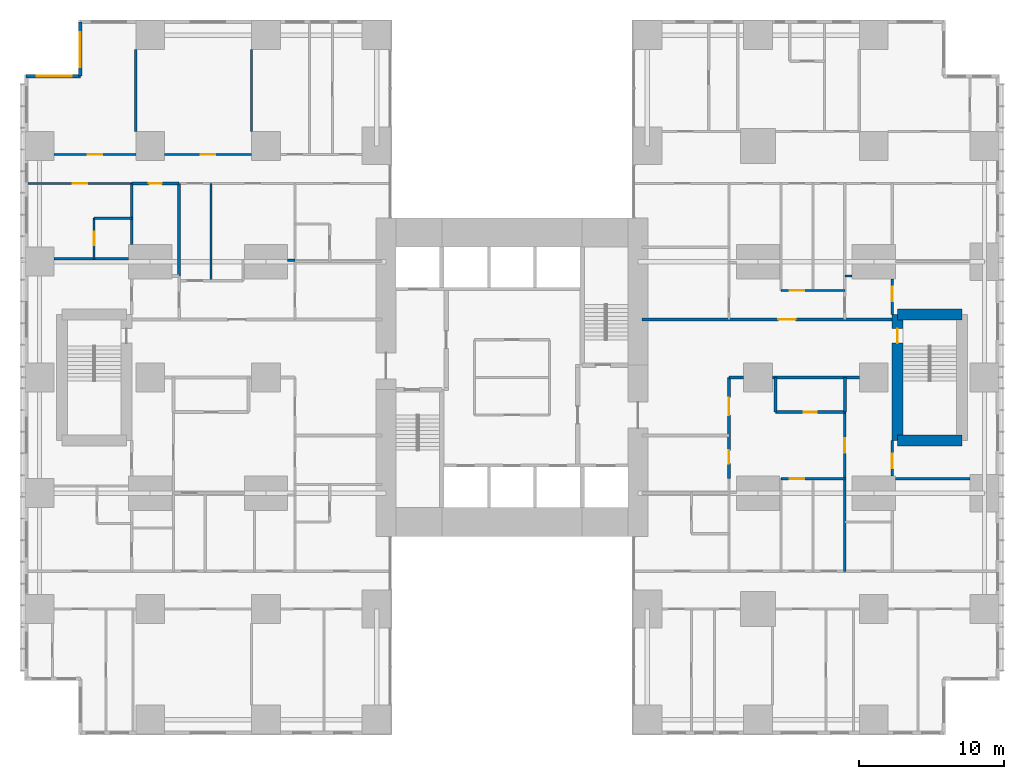
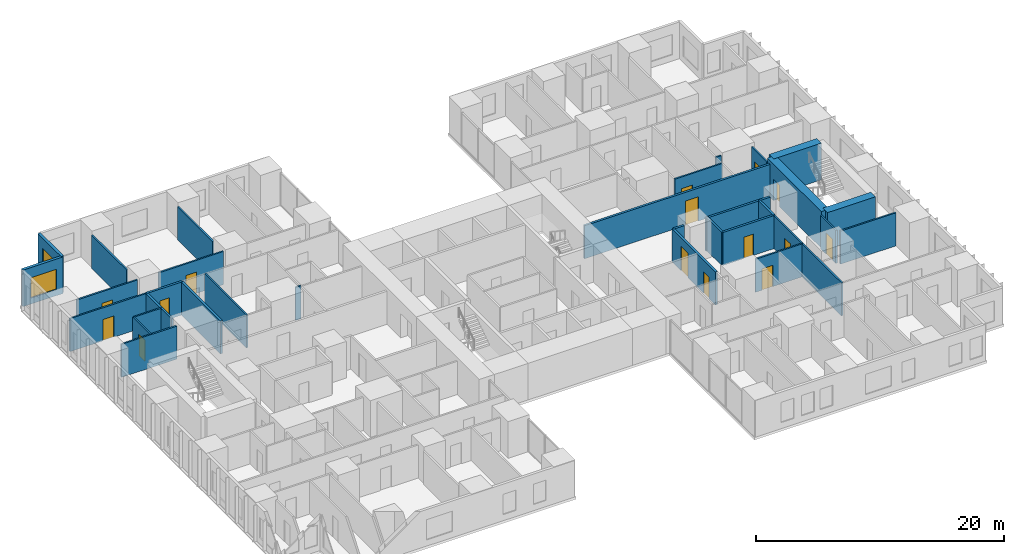
# One storey, part 16 of 20: 32 walls, 15 doors, 2 windows, 17 openings.
"""IFC4 building model written with IfcOpenShell, lengths in metres."""

from ifc_helpers import new_model, si_unit, direction, frame, frame_2d, origin, place, context, subcontext, project, spatial, rectangle, extrude, material, layer, layer_set, type_object, element, fill, save


model = new_model("IFC4")

# Units and contexts
model_context = context("Model", 3, precision=1e-05, world=origin(), true_north=direction((0.0, 1.0)))
body_context = subcontext(model_context, "Body", "Model", "MODEL_VIEW")
ifc_project = project(units=[si_unit("LENGTHUNIT", "METRE"), si_unit("AREAUNIT", "SQUARE_METRE"), si_unit("VOLUMEUNIT", "CUBIC_METRE"), si_unit("PLANEANGLEUNIT", "RADIAN"), si_unit("MASSUNIT", "GRAM", prefix="KILO")], contexts=[model_context])

# Site, building, storey
site_placement = place(None, origin())
site = spatial("IfcSite", under=ifc_project, at=site_placement, CompositionType="ELEMENT")
building_placement = place(site_placement, origin())
building = spatial("IfcBuilding", under=site, at=building_placement, Name="Cleftline Residences", CompositionType="ELEMENT")
storey_placement = place(building_placement, frame((0.0, 0.0, 87.199951171875)))
storey = spatial("IfcBuildingStorey", under=building, at=storey_placement, Name="L22", CompositionType="ELEMENT", Elevation=87.199951171875)

# Wall, opening, window
ifc_material_1 = material(Name="Rendered reinforced concrete blockwork", Category="masonry")
ifc_layer_1 = layer(ifc_material_1, 0.25)
ifc_layer_set_1 = layer_set([ifc_layer_1], Name="EXTERNAL WALL 250")
wall_type_1 = type_object("IfcWallType", Name="EXTERNAL WALL 250", PredefinedType="SOLIDWALL", material=ifc_layer_set_1)
wall_1_placement = place(storey_placement, frame((3.175048828125, 48.574951171875, 0.0), z_axis=(0.0, 0.0, 1.0), x_axis=(0.0, -1.0, 0.0)))
wall_1 = element("IfcWall", 1, at=wall_1_placement, inside=storey, type_object=wall_type_1, Name="External wall", PredefinedType="SOLIDWALL", context=body_context, shape_type="SweptSolid", body=[
    extrude(rectangle(XDim=3.75, YDim=0.25, at=frame_2d((1.875, 0.0))), origin(), (0.0, 0.0, 1.0), 3.60009765625),
])
opening_1_placement = place(wall_1_placement, frame((0.737548828125, 0.0, 0.60009765625)))
opening_1 = element("IfcOpeningElement", 2, at=opening_1_placement, cuts=wall_1, Name="Opening W6", PredefinedType="OPENING", context=body_context, shape_type="SweptSolid", body=[
    extrude(rectangle(XDim=2.39990234375, YDim=2.0, at=frame_2d((1.199951171875, 1.0))), frame((0.0, 0.135009765625, 0.0), z_axis=(0.0, -1.0, 0.0), x_axis=(1.0, 0.0, 0.0)), (0.0, 0.0, 1.0), 0.27001953125),
])
ifc_material_2 = material(Name="Aluminium frame, clear double glazing", Category="aluminium")
window_type = type_object("IfcWindowType", Name="WINDOW 2400X2000", PartitioningType="DOUBLE_PANEL_VERTICAL", PredefinedType="WINDOW", material=ifc_material_2)
window_1_placement = place(opening_1_placement, origin())
window_1 = element("IfcWindow", 3, at=window_1_placement, inside=storey, type_object=window_type, Name="Window", OverallHeight=2.0, OverallWidth=2.39990234375, PartitioningType="SINGLE_PANEL", PredefinedType="WINDOW", context=body_context, shape_type="SweptSolid", body=[
    extrude(rectangle(XDim=2.39990234375, YDim=2.0, at=frame_2d((1.199951171875, 1.0))), frame((0.0, 0.030029296875, 0.0), z_axis=(0.0, -1.0, 0.0), x_axis=(1.0, 0.0, 0.0)), (0.0, 0.0, 1.0), 0.06005859375),
])
fill(opening_1, window_1)

wall_2_placement = place(storey_placement, frame((3.175048828125, 44.824951171875, 0.0), z_axis=(0.0, 0.0, 1.0), x_axis=(-1.0, 0.0, 0.0)))
wall_2 = element("IfcWall", 4, at=wall_2_placement, inside=storey, type_object=wall_type_1, Name="External wall", PredefinedType="SOLIDWALL", context=body_context, shape_type="SweptSolid", body=[
    extrude(rectangle(XDim=3.75, YDim=0.25, at=frame_2d((1.875, 0.0))), origin(), (0.0, 0.0, 1.0), 3.60009765625),
])
opening_2_placement = place(wall_2_placement, frame((0.612548828125, 0.0, 0.60009765625)))
opening_2 = element("IfcOpeningElement", 5, at=opening_2_placement, cuts=wall_2, Name="Opening W6", PredefinedType="OPENING", context=body_context, shape_type="SweptSolid", body=[
    extrude(rectangle(XDim=2.39990234375, YDim=2.0, at=frame_2d((1.199951171875, 1.0))), frame((0.0, 0.135009765625, 0.0), z_axis=(0.0, -1.0, 0.0), x_axis=(1.0, 0.0, 0.0)), (0.0, 0.0, 1.0), 0.27001953125),
])
window_2_placement = place(opening_2_placement, origin())
window_2 = element("IfcWindow", 6, at=window_2_placement, inside=storey, type_object=window_type, Name="Window", OverallHeight=2.0, OverallWidth=2.39990234375, PartitioningType="SINGLE_PANEL", PredefinedType="WINDOW", context=body_context, shape_type="SweptSolid", body=[
    extrude(rectangle(XDim=2.39990234375, YDim=2.0, at=frame_2d((1.199951171875, 1.0))), frame((0.0, 0.030029296875, 0.0), z_axis=(0.0, -1.0, 0.0), x_axis=(1.0, 0.0, 0.0)), (0.0, 0.0, 1.0), 0.06005859375),
])
fill(opening_2, window_2)

# Wall, opening, door
ifc_material_3 = material(Name="Concrete blockwork, fire rated", Category="masonry")
ifc_layer_2 = layer(ifc_material_3, 0.199951171875)
ifc_layer_set_2 = layer_set([ifc_layer_2], Name="FIRE WALL 200")
wall_type_2 = type_object("IfcWallType", Name="FIRE WALL 200", PredefinedType="PARTITIONING", material=ifc_layer_set_2)
wall_3_placement = place(storey_placement, frame((51.199951171875, 21.60009765625, 0.0), z_axis=(0.0, 0.0, 1.0), x_axis=(1.0, 0.0, 0.0)))
wall_3 = element("IfcWall", 7, at=wall_3_placement, inside=storey, type_object=wall_type_2, Name="Fire separating wall", PredefinedType="PARTITIONING", context=body_context, shape_type="SweptSolid", body=[
    extrude(rectangle(XDim=4.800048828125, YDim=0.199951171875, at=frame_2d((2.39990234375, 0.0))), origin(), (0.0, 0.0, 1.0), 3.25),
])
opening_3_placement = place(wall_3_placement, frame((1.949951171875, 0.0, 0.0)))
opening_3 = element("IfcOpeningElement", 8, at=opening_3_placement, cuts=wall_3, Name="Opening D1F30", PredefinedType="OPENING", context=body_context, shape_type="SweptSolid", body=[
    extrude(rectangle(XDim=0.89990234375, YDim=2.10009765625, at=frame_2d((0.449951171875, 1.050048828125))), frame((0.0, 0.10986328125, 0.0), z_axis=(0.0, -1.0, 0.0), x_axis=(1.0, 0.0, 0.0)), (0.0, 0.0, 1.0), 0.219970703125),
])
ifc_material_4 = material(Name="Timber veneer on solid core", Category="wood")
door_type_1 = type_object("IfcDoorType", Name="DOOR 900X2100 EI 30", OperationType="SINGLE_SWING_LEFT", PredefinedType="DOOR", material=ifc_material_4)
door_1_placement = place(opening_3_placement, origin())
door_1 = element("IfcDoor", 9, at=door_1_placement, inside=storey, type_object=door_type_1, Name="Door to cloakroom wc", OperationType="SINGLE_SWING_LEFT", OverallHeight=2.10009765625, OverallWidth=0.89990234375, PredefinedType="DOOR", context=body_context, shape_type="SweptSolid", body=[
    extrude(rectangle(XDim=0.89990234375, YDim=2.10009765625, at=frame_2d((0.449951171875, 1.050048828125))), frame((0.0, 0.02490234375, 0.0), z_axis=(0.0, -1.0, 0.0), x_axis=(1.0, 0.0, 0.0)), (0.0, 0.0, 1.0), 0.050048828125),
])
fill(opening_3, door_1)

# Walls
wall_4_placement = place(storey_placement, frame((48.0, 24.0, 0.0), z_axis=(0.0, 0.0, 1.0), x_axis=(1.0, 0.0, 0.0)))
element("IfcWall", 10, at=wall_4_placement, inside=storey, type_object=wall_type_2, Name="Fire separating wall", PredefinedType="PARTITIONING", context=body_context, shape_type="SweptSolid", body=[
    extrude(rectangle(XDim=1.0, YDim=0.199951171875, at=frame_2d((0.5, 0.0))), origin(), (0.0, 0.0, 1.0), 3.25),
])
wall_5_placement = place(storey_placement, frame((51.0, 24.0, 0.0), z_axis=(0.0, 0.0, 1.0), x_axis=(1.0, 0.0, 0.0)))
element("IfcWall", 11, at=wall_5_placement, inside=storey, type_object=wall_type_2, Name="Fire separating wall", PredefinedType="PARTITIONING", context=body_context, shape_type="SweptSolid", body=[
    extrude(rectangle(XDim=6.0, YDim=0.199951171875, at=frame_2d((3.0, 0.0))), origin(), (0.0, 0.0, 1.0), 3.25),
])

# Wall, opening, door
wall_6_placement = place(storey_placement, frame((42.0, 28.0, 0.0), z_axis=(0.0, 0.0, 1.0), x_axis=(1.0, 0.0, 0.0)))
wall_6 = element("IfcWall", 12, at=wall_6_placement, inside=storey, type_object=wall_type_2, Name="Fire separating wall", PredefinedType="PARTITIONING", context=body_context, shape_type="SweptSolid", body=[
    extrude(rectangle(XDim=17.27490234375, YDim=0.199951171875, at=frame_2d((8.637451171875, 0.0))), origin(), (0.0, 0.0, 1.0), 3.25),
])
opening_4_placement = place(wall_6_placement, frame((9.39990234375, 0.0, 0.0)))
opening_4 = element("IfcOpeningElement", 13, at=opening_4_placement, cuts=wall_6, Name="Opening D4", PredefinedType="OPENING", context=body_context, shape_type="SweptSolid", body=[
    extrude(rectangle(XDim=1.199951171875, YDim=2.39990234375, at=frame_2d((0.60009765625, 1.199951171875))), frame((0.0, 0.10986328125, 0.0), z_axis=(0.0, -1.0, 0.0), x_axis=(1.0, 0.0, 0.0)), (0.0, 0.0, 1.0), 0.219970703125),
])
ifc_material_5 = material(Name="Timber veneer on solid core", Category="wood")
door_type_2 = type_object("IfcDoorType", Name="APARTMENT ENTRANCE DOOR 1200X2400", OperationType="SINGLE_SWING_RIGHT", PredefinedType="DOOR", material=ifc_material_5)
door_2_placement = place(opening_4_placement, origin())
door_2 = element("IfcDoor", 14, at=door_2_placement, inside=storey, type_object=door_type_2, Name="Door to residence entrance foyer", OperationType="SINGLE_SWING_LEFT", OverallHeight=2.39990234375, OverallWidth=1.199951171875, PredefinedType="DOOR", context=body_context, shape_type="SweptSolid", body=[
    extrude(rectangle(XDim=1.199951171875, YDim=2.39990234375, at=frame_2d((0.60009765625, 1.199951171875))), frame((0.0, 0.02490234375, 0.0), z_axis=(0.0, -1.0, 0.0), x_axis=(1.0, 0.0, 0.0)), (0.0, 0.0, 1.0), 0.050048828125),
])
fill(opening_4, door_2)

wall_7_placement = place(storey_placement, frame((6.72509765625, 37.39990234375, 0.0), z_axis=(0.0, 0.0, 1.0), x_axis=(1.0, 0.0, 0.0)))
wall_7 = element("IfcWall", 15, at=wall_7_placement, inside=storey, type_object=wall_type_2, Name="Fire separating wall", PredefinedType="PARTITIONING", context=body_context, shape_type="SweptSolid", body=[
    extrude(rectangle(XDim=3.27490234375, YDim=0.199951171875, at=frame_2d((1.637451171875, 0.0))), origin(), (0.0, 0.0, 1.0), 3.25),
])
opening_5_placement = place(wall_7_placement, frame((1.1875, 0.0, 0.0)))
opening_5 = element("IfcOpeningElement", 16, at=opening_5_placement, cuts=wall_7, Name="Opening D1F30", PredefinedType="OPENING", context=body_context, shape_type="SweptSolid", body=[
    extrude(rectangle(XDim=0.89990234375, YDim=2.10009765625, at=frame_2d((0.449951171875, 1.050048828125))), frame((0.0, 0.10986328125, 0.0), z_axis=(0.0, -1.0, 0.0), x_axis=(1.0, 0.0, 0.0)), (0.0, 0.0, 1.0), 0.219970703125),
])
door_3_placement = place(opening_5_placement, origin())
door_3 = element("IfcDoor", 17, at=door_3_placement, inside=storey, type_object=door_type_1, Name="Door to guest wc", OperationType="SINGLE_SWING_LEFT", OverallHeight=2.10009765625, OverallWidth=0.89990234375, PredefinedType="DOOR", context=body_context, shape_type="SweptSolid", body=[
    extrude(rectangle(XDim=0.89990234375, YDim=2.10009765625, at=frame_2d((0.449951171875, 1.050048828125))), frame((0.0, 0.02490234375, 0.0), z_axis=(0.0, -1.0, 0.0), x_axis=(1.0, 0.0, 0.0)), (0.0, 0.0, 1.0), 0.050048828125),
])
fill(opening_5, door_3)

# Walls
wall_8_placement = place(storey_placement, frame((6.72509765625, 33.199951171875, 0.0), z_axis=(0.0, 0.0, 1.0), x_axis=(0.0, 1.0, 0.0)))
element("IfcWall", 18, at=wall_8_placement, inside=storey, type_object=wall_type_2, Name="Fire separating wall", PredefinedType="PARTITIONING", context=body_context, shape_type="SweptSolid", body=[
    extrude(rectangle(XDim=4.199951171875, YDim=0.199951171875, at=frame_2d((2.10009765625, 0.0))), origin(), (0.0, 0.0, 1.0), 3.25),
])
wall_9_placement = place(storey_placement, frame((10.0, 31.0, 0.0), z_axis=(0.0, 0.0, 1.0), x_axis=(0.0, 1.0, 0.0)))
element("IfcWall", 19, at=wall_9_placement, inside=storey, type_object=wall_type_2, Name="Fire separating wall", PredefinedType="PARTITIONING", context=body_context, shape_type="SweptSolid", body=[
    extrude(rectangle(XDim=6.39990234375, YDim=0.199951171875, at=frame_2d((3.199951171875, 0.0))), origin(), (0.0, 0.0, 1.0), 3.25),
])

# Wall, openings, doors
wall_10_placement = place(storey_placement, frame((48.0, 17.0, 0.0), z_axis=(0.0, 0.0, 1.0), x_axis=(0.0, 1.0, 0.0)))
wall_10 = element("IfcWall", 20, at=wall_10_placement, inside=storey, type_object=wall_type_2, Name="Fire separating wall", PredefinedType="PARTITIONING", context=body_context, shape_type="SweptSolid", body=[
    extrude(rectangle(XDim=7.0, YDim=0.199951171875, at=frame_2d((3.5, 0.0))), origin(), (0.0, 0.0, 1.0), 3.25),
])
opening_6_placement = place(wall_10_placement, frame((4.39990234375, 0.0, 0.0)))
opening_6 = element("IfcOpeningElement", 21, at=opening_6_placement, cuts=wall_10, Name="Opening D4", PredefinedType="OPENING", context=body_context, shape_type="SweptSolid", body=[
    extrude(rectangle(XDim=1.199951171875, YDim=2.39990234375, at=frame_2d((0.60009765625, 1.199951171875))), frame((0.0, 0.10986328125, 0.0), z_axis=(0.0, -1.0, 0.0), x_axis=(1.0, 0.0, 0.0)), (0.0, 0.0, 1.0), 0.219970703125),
])
opening_7_placement = place(wall_10_placement, frame((1.050048828125, 0.0, 0.0)))
opening_7 = element("IfcOpeningElement", 22, at=opening_7_placement, cuts=wall_10, Name="Opening D1F30", PredefinedType="OPENING", context=body_context, shape_type="SweptSolid", body=[
    extrude(rectangle(XDim=0.89990234375, YDim=2.10009765625, at=frame_2d((0.449951171875, 1.050048828125))), frame((0.0, 0.10986328125, 0.0), z_axis=(0.0, -1.0, 0.0), x_axis=(1.0, 0.0, 0.0)), (0.0, 0.0, 1.0), 0.219970703125),
])
door_4_placement = place(opening_6_placement, origin())
door_4 = element("IfcDoor", 23, at=door_4_placement, inside=storey, type_object=door_type_2, Name="Door to residence entrance foyer", OperationType="SINGLE_SWING_LEFT", OverallHeight=2.39990234375, OverallWidth=1.199951171875, PredefinedType="DOOR", context=body_context, shape_type="SweptSolid", body=[
    extrude(rectangle(XDim=1.199951171875, YDim=2.39990234375, at=frame_2d((0.60009765625, 1.199951171875))), frame((0.0, 0.02490234375, 0.0), z_axis=(0.0, -1.0, 0.0), x_axis=(1.0, 0.0, 0.0)), (0.0, 0.0, 1.0), 0.050048828125),
])
fill(opening_6, door_4)
door_5_placement = place(opening_7_placement, origin())
door_5 = element("IfcDoor", 24, at=door_5_placement, inside=storey, type_object=door_type_1, Name="Door to utility room", OperationType="SINGLE_SWING_RIGHT", OverallHeight=2.10009765625, OverallWidth=0.89990234375, PredefinedType="DOOR", context=body_context, shape_type="SweptSolid", body=[
    extrude(rectangle(XDim=0.89990234375, YDim=2.10009765625, at=frame_2d((0.449951171875, 1.050048828125))), frame((0.0, 0.02490234375, 0.0), z_axis=(0.0, -1.0, 0.0), x_axis=(1.0, 0.0, 0.0)), (0.0, 0.0, 1.0), 0.050048828125),
])
fill(opening_7, door_5)

# Walls
for number, where, z_axis, x_axis, name in (
    (25, (51.199951171875, 21.60009765625, 0.0), (0.0, 0.0, 1.0), (0.0, 1.0, 0.0), "Fire separating wall"),
    (26, (56.0, 21.60009765625, 0.0), (0.0, 0.0, 1.0), (0.0, 1.0, 0.0), "Fire separating wall"),
):
    element("IfcWall", number, at=place(storey_placement, frame(where, z_axis=z_axis, x_axis=x_axis)), inside=storey, type_object=wall_type_2, Name=name, PredefinedType="PARTITIONING", context=body_context, shape_type="SweptSolid", body=[
        extrude(rectangle(XDim=2.39990234375, YDim=0.199951171875, at=frame_2d((1.199951171875, 0.0))), origin(), (0.0, 0.0, 1.0), 3.25),
    ])

# Wall, opening, door
ifc_material_6 = material(Name="Gypsum board on steel studs", Category="steel")
ifc_layer_3 = layer(ifc_material_6, 0.14990234375)
ifc_layer_set_3 = layer_set([ifc_layer_3], Name="PARTITION 150")
wall_type_3 = type_object("IfcWallType", Name="PARTITION 150", PredefinedType="PARTITIONING", material=ifc_layer_set_3)
wall_11_placement = place(storey_placement, frame((51.60009765625, 17.0, 0.0), z_axis=(0.0, 0.0, 1.0), x_axis=(1.0, 0.0, 0.0)))
wall_11 = element("IfcWall", 27, at=wall_11_placement, inside=storey, type_object=wall_type_3, Name="Partition", PredefinedType="PARTITIONING", context=body_context, shape_type="SweptSolid", body=[
    extrude(rectangle(XDim=4.39990234375, YDim=0.14990234375, at=frame_2d((2.199951171875, 0.0))), origin(), (0.0, 0.0, 1.0), 3.25),
])
opening_8_placement = place(wall_11_placement, frame((0.60009765625, 0.0, 0.0)))
opening_8 = element("IfcOpeningElement", 28, at=opening_8_placement, cuts=wall_11, Name="Opening D2", PredefinedType="OPENING", context=body_context, shape_type="SweptSolid", body=[
    extrude(rectangle(XDim=1.0, YDim=2.10009765625, at=frame_2d((0.5, 1.050048828125))), frame((0.0, 0.0849609375, 0.0), z_axis=(0.0, -1.0, 0.0), x_axis=(1.0, 0.0, 0.0)), (0.0, 0.0, 1.0), 0.169921875),
])
ifc_material_7 = material(Name="Timber veneer on solid core", Category="wood")
door_type_3 = type_object("IfcDoorType", Name="DOOR 1000X2100", OperationType="SINGLE_SWING_LEFT", PredefinedType="DOOR", material=ifc_material_7)
door_6_placement = place(opening_8_placement, origin())
door_6 = element("IfcDoor", 29, at=door_6_placement, inside=storey, type_object=door_type_3, Name="Door to residence passage", OperationType="SINGLE_SWING_RIGHT", OverallHeight=2.10009765625, OverallWidth=1.0, PredefinedType="DOOR", context=body_context, shape_type="SweptSolid", body=[
    extrude(rectangle(XDim=1.0, YDim=2.10009765625, at=frame_2d((0.5, 1.050048828125))), frame((0.0, 0.02490234375, 0.0), z_axis=(0.0, -1.0, 0.0), x_axis=(1.0, 0.0, 0.0)), (0.0, 0.0, 1.0), 0.050048828125),
])
fill(opening_8, door_6)

# Wall
wall_12_placement = place(storey_placement, frame((59.5, 17.0, 0.0), z_axis=(0.0, 0.0, 1.0), x_axis=(1.0, 0.0, 0.0)))
element("IfcWall", 30, at=wall_12_placement, inside=storey, type_object=wall_type_3, Name="Partition", PredefinedType="PARTITIONING", context=body_context, shape_type="SweptSolid", body=[
    extrude(rectangle(XDim=5.14990234375, YDim=0.14990234375, at=frame_2d((2.574951171875, 0.0))), origin(), (0.0, 0.0, 1.0), 3.25),
])

# Wall, opening, door
wall_13_placement = place(storey_placement, frame((51.60009765625, 30.0, 0.0), z_axis=(0.0, 0.0, 1.0), x_axis=(1.0, 0.0, 0.0)))
wall_13 = element("IfcWall", 31, at=wall_13_placement, inside=storey, type_object=wall_type_3, Name="Partition", PredefinedType="PARTITIONING", context=body_context, shape_type="SweptSolid", body=[
    extrude(rectangle(XDim=4.39990234375, YDim=0.14990234375, at=frame_2d((2.199951171875, 0.0))), origin(), (0.0, 0.0, 1.0), 3.25),
])
opening_9_placement = place(wall_13_placement, frame((0.60009765625, 0.0, 0.0)))
opening_9 = element("IfcOpeningElement", 32, at=opening_9_placement, cuts=wall_13, Name="Opening D2", PredefinedType="OPENING", context=body_context, shape_type="SweptSolid", body=[
    extrude(rectangle(XDim=1.0, YDim=2.10009765625, at=frame_2d((0.5, 1.050048828125))), frame((0.0, 0.0849609375, 0.0), z_axis=(0.0, -1.0, 0.0), x_axis=(1.0, 0.0, 0.0)), (0.0, 0.0, 1.0), 0.169921875),
])
door_7_placement = place(opening_9_placement, origin())
door_7 = element("IfcDoor", 33, at=door_7_placement, inside=storey, type_object=door_type_3, Name="Door to residence passage", OperationType="SINGLE_SWING_RIGHT", OverallHeight=2.10009765625, OverallWidth=1.0, PredefinedType="DOOR", context=body_context, shape_type="SweptSolid", body=[
    extrude(rectangle(XDim=1.0, YDim=2.10009765625, at=frame_2d((0.5, 1.050048828125))), frame((0.0, 0.02490234375, 0.0), z_axis=(0.0, -1.0, 0.0), x_axis=(1.0, 0.0, 0.0)), (0.0, 0.0, 1.0), 0.050048828125),
])
fill(opening_9, door_7)

# Walls
for number, where, z_axis, x_axis, name in (
    (34, (56.0, 31.0, 0.0), (0.0, 0.0, 1.0), (1.0, 0.0, 0.0), "Partition"),
    (35, (17.5, 32.10009765625, 0.0), (0.0, 0.0, 1.0), (1.0, 0.0, 0.0), "Partition"),
):
    element("IfcWall", number, at=place(storey_placement, frame(where, z_axis=z_axis, x_axis=x_axis)), inside=storey, type_object=wall_type_3, Name=name, PredefinedType="PARTITIONING", context=body_context, shape_type="SweptSolid", body=[
        extrude(rectangle(XDim=0.5, YDim=0.14990234375, at=frame_2d((0.25, 0.0))), origin(), (0.0, 0.0, 1.0), 3.25),
    ])
wall_14_placement = place(storey_placement, frame((1.35009765625, 32.199951171875, 0.0), z_axis=(0.0, 0.0, 1.0), x_axis=(1.0, 0.0, 0.0)))
element("IfcWall", 36, at=wall_14_placement, inside=storey, type_object=wall_type_3, Name="Partition", PredefinedType="PARTITIONING", context=body_context, shape_type="SweptSolid", body=[
    extrude(rectangle(XDim=5.14990234375, YDim=0.14990234375, at=frame_2d((2.574951171875, 0.0))), origin(), (0.0, 0.0, 1.0), 3.25),
])
wall_15_placement = place(storey_placement, frame((4.125, 35.0, 0.0), z_axis=(0.0, 0.0, 1.0), x_axis=(1.0, 0.0, 0.0)))
element("IfcWall", 37, at=wall_15_placement, inside=storey, type_object=wall_type_3, Name="Partition", PredefinedType="PARTITIONING", context=body_context, shape_type="SweptSolid", body=[
    extrude(rectangle(XDim=2.60009765625, YDim=0.14990234375, at=frame_2d((1.300048828125, 0.0))), origin(), (0.0, 0.0, 1.0), 3.25),
])

# Wall, opening, door
wall_16_placement = place(storey_placement, frame((-0.449951171875, 37.39990234375, 0.0), z_axis=(0.0, 0.0, 1.0), x_axis=(1.0, 0.0, 0.0)))
wall_16 = element("IfcWall", 38, at=wall_16_placement, inside=storey, type_object=wall_type_3, Name="Partition", PredefinedType="PARTITIONING", context=body_context, shape_type="SweptSolid", body=[
    extrude(rectangle(XDim=7.175048828125, YDim=0.14990234375, at=frame_2d((3.58740234375, 0.0))), origin(), (0.0, 0.0, 1.0), 3.25),
])
opening_10_placement = place(wall_16_placement, frame((3.08740234375, 0.0, 0.0)))
opening_10 = element("IfcOpeningElement", 39, at=opening_10_placement, cuts=wall_16, Name="Opening D2", PredefinedType="OPENING", context=body_context, shape_type="SweptSolid", body=[
    extrude(rectangle(XDim=1.0, YDim=2.10009765625, at=frame_2d((0.5, 1.050048828125))), frame((0.0, 0.0849609375, 0.0), z_axis=(0.0, -1.0, 0.0), x_axis=(1.0, 0.0, 0.0)), (0.0, 0.0, 1.0), 0.169921875),
])
door_8_placement = place(opening_10_placement, origin())
door_8 = element("IfcDoor", 40, at=door_8_placement, inside=storey, type_object=door_type_3, Name="Door to master bedroom", OperationType="SINGLE_SWING_LEFT", OverallHeight=2.10009765625, OverallWidth=1.0, PredefinedType="DOOR", context=body_context, shape_type="SweptSolid", body=[
    extrude(rectangle(XDim=1.0, YDim=2.10009765625, at=frame_2d((0.5, 1.050048828125))), frame((0.0, 0.02490234375, 0.0), z_axis=(0.0, -1.0, 0.0), x_axis=(1.0, 0.0, 0.0)), (0.0, 0.0, 1.0), 0.050048828125),
])
fill(opening_10, door_8)

wall_17_placement = place(storey_placement, frame((1.35009765625, 39.39990234375, 0.0), z_axis=(0.0, 0.0, 1.0), x_axis=(1.0, 0.0, 0.0)))
wall_17 = element("IfcWall", 41, at=wall_17_placement, inside=storey, type_object=wall_type_3, Name="Partition", PredefinedType="PARTITIONING", context=body_context, shape_type="SweptSolid", body=[
    extrude(rectangle(XDim=5.64990234375, YDim=0.14990234375, at=frame_2d((2.824951171875, 0.0))), origin(), (0.0, 0.0, 1.0), 3.25),
])
opening_11_placement = place(wall_17_placement, frame((2.324951171875, 0.0, 0.0)))
opening_11 = element("IfcOpeningElement", 42, at=opening_11_placement, cuts=wall_17, Name="Opening D2", PredefinedType="OPENING", context=body_context, shape_type="SweptSolid", body=[
    extrude(rectangle(XDim=1.0, YDim=2.10009765625, at=frame_2d((0.5, 1.050048828125))), frame((0.0, 0.0849609375, 0.0), z_axis=(0.0, -1.0, 0.0), x_axis=(1.0, 0.0, 0.0)), (0.0, 0.0, 1.0), 0.169921875),
])
door_9_placement = place(opening_11_placement, origin())
door_9 = element("IfcDoor", 43, at=door_9_placement, inside=storey, type_object=door_type_3, Name="Door to winter garden", OperationType="SINGLE_SWING_LEFT", OverallHeight=2.10009765625, OverallWidth=1.0, PredefinedType="DOOR", context=body_context, shape_type="SweptSolid", body=[
    extrude(rectangle(XDim=1.0, YDim=2.10009765625, at=frame_2d((0.5, 1.050048828125))), frame((0.0, 0.02490234375, 0.0), z_axis=(0.0, -1.0, 0.0), x_axis=(1.0, 0.0, 0.0)), (0.0, 0.0, 1.0), 0.050048828125),
])
fill(opening_11, door_9)

wall_18_placement = place(storey_placement, frame((9.0, 39.39990234375, 0.0), z_axis=(0.0, 0.0, 1.0), x_axis=(1.0, 0.0, 0.0)))
wall_18 = element("IfcWall", 44, at=wall_18_placement, inside=storey, type_object=wall_type_3, Name="Partition", PredefinedType="PARTITIONING", context=body_context, shape_type="SweptSolid", body=[
    extrude(rectangle(XDim=6.0, YDim=0.14990234375, at=frame_2d((3.0, 0.0))), origin(), (0.0, 0.0, 1.0), 3.25),
])
opening_12_placement = place(wall_18_placement, frame((2.5, 0.0, 0.0)))
opening_12 = element("IfcOpeningElement", 45, at=opening_12_placement, cuts=wall_18, Name="Opening D2", PredefinedType="OPENING", context=body_context, shape_type="SweptSolid", body=[
    extrude(rectangle(XDim=1.0, YDim=2.10009765625, at=frame_2d((0.5, 1.050048828125))), frame((0.0, 0.0849609375, 0.0), z_axis=(0.0, -1.0, 0.0), x_axis=(1.0, 0.0, 0.0)), (0.0, 0.0, 1.0), 0.169921875),
])
door_10_placement = place(opening_12_placement, origin())
door_10 = element("IfcDoor", 46, at=door_10_placement, inside=storey, type_object=door_type_3, Name="Door to living room", OperationType="SINGLE_SWING_LEFT", OverallHeight=2.10009765625, OverallWidth=1.0, PredefinedType="DOOR", context=body_context, shape_type="SweptSolid", body=[
    extrude(rectangle(XDim=1.0, YDim=2.10009765625, at=frame_2d((0.5, 1.050048828125))), frame((0.0, 0.02490234375, 0.0), z_axis=(0.0, -1.0, 0.0), x_axis=(1.0, 0.0, 0.0)), (0.0, 0.0, 1.0), 0.050048828125),
])
fill(opening_12, door_10)

wall_19_placement = place(storey_placement, frame((4.125, 32.199951171875, 0.0), z_axis=(0.0, 0.0, 1.0), x_axis=(0.0, 1.0, 0.0)))
wall_19 = element("IfcWall", 47, at=wall_19_placement, inside=storey, type_object=wall_type_3, Name="Partition", PredefinedType="PARTITIONING", context=body_context, shape_type="SweptSolid", body=[
    extrude(rectangle(XDim=2.800048828125, YDim=0.14990234375, at=frame_2d((1.39990234375, 0.0))), origin(), (0.0, 0.0, 1.0), 3.25),
])
opening_13_placement = place(wall_19_placement, frame((0.949951171875, 0.0, 0.0)))
opening_13 = element("IfcOpeningElement", 48, at=opening_13_placement, cuts=wall_19, Name="Opening D1", PredefinedType="OPENING", context=body_context, shape_type="SweptSolid", body=[
    extrude(rectangle(XDim=0.89990234375, YDim=2.10009765625, at=frame_2d((0.449951171875, 1.050048828125))), frame((0.0, 0.0849609375, 0.0), z_axis=(0.0, -1.0, 0.0), x_axis=(1.0, 0.0, 0.0)), (0.0, 0.0, 1.0), 0.169921875),
])
ifc_material_8 = material(Name="Timber veneer on solid core", Category="wood")
door_type_4 = type_object("IfcDoorType", Name="DOOR 900X2100", OperationType="SINGLE_SWING_LEFT", PredefinedType="DOOR", material=ifc_material_8)
door_11_placement = place(opening_13_placement, origin())
door_11 = element("IfcDoor", 49, at=door_11_placement, inside=storey, type_object=door_type_4, Name="Door to master bathroom", OperationType="SINGLE_SWING_LEFT", OverallHeight=2.10009765625, OverallWidth=0.89990234375, PredefinedType="DOOR", context=body_context, shape_type="SweptSolid", body=[
    extrude(rectangle(XDim=0.89990234375, YDim=2.10009765625, at=frame_2d((0.449951171875, 1.050048828125))), frame((0.0, 0.02490234375, 0.0), z_axis=(0.0, -1.0, 0.0), x_axis=(1.0, 0.0, 0.0)), (0.0, 0.0, 1.0), 0.050048828125),
])
fill(opening_13, door_11)

# Walls
wall_20_placement = place(storey_placement, frame((7.0, 41.0, 0.0), z_axis=(0.0, 0.0, 1.0), x_axis=(0.0, 1.0, 0.0)))
element("IfcWall", 50, at=wall_20_placement, inside=storey, type_object=wall_type_3, Name="Partition", PredefinedType="PARTITIONING", context=body_context, shape_type="SweptSolid", body=[
    extrude(rectangle(XDim=5.64990234375, YDim=0.14990234375, at=frame_2d((2.824951171875, 0.0))), origin(), (0.0, 0.0, 1.0), 3.25),
])
wall_21_placement = place(storey_placement, frame((12.199951171875, 30.675048828125, 0.0), z_axis=(0.0, 0.0, 1.0), x_axis=(0.0, 1.0, 0.0)))
element("IfcWall", 51, at=wall_21_placement, inside=storey, type_object=wall_type_3, Name="Partition", PredefinedType="PARTITIONING", context=body_context, shape_type="SweptSolid", body=[
    extrude(rectangle(XDim=6.724853515625, YDim=0.14990234375, at=frame_2d((3.3623046875, 0.0))), origin(), (0.0, 0.0, 1.0), 3.25),
])
wall_22_placement = place(storey_placement, frame((15.0, 41.0, 0.0), z_axis=(0.0, 0.0, 1.0), x_axis=(0.0, 1.0, 0.0)))
element("IfcWall", 52, at=wall_22_placement, inside=storey, type_object=wall_type_3, Name="Partition", PredefinedType="PARTITIONING", context=body_context, shape_type="SweptSolid", body=[
    extrude(rectangle(XDim=5.64990234375, YDim=0.14990234375, at=frame_2d((2.824951171875, 0.0))), origin(), (0.0, 0.0, 1.0), 3.25),
])

# Wall, opening, door
wall_23_placement = place(storey_placement, frame((56.0, 10.60009765625, 0.0), z_axis=(0.0, 0.0, 1.0), x_axis=(0.0, 1.0, 0.0)))
wall_23 = element("IfcWall", 53, at=wall_23_placement, inside=storey, type_object=wall_type_3, Name="Partition", PredefinedType="PARTITIONING", context=body_context, shape_type="SweptSolid", body=[
    extrude(rectangle(XDim=11.0, YDim=0.14990234375, at=frame_2d((5.5, 0.0))), origin(), (0.0, 0.0, 1.0), 3.25),
])
opening_14_placement = place(wall_23_placement, frame((8.199951171875, 0.0, 0.0)))
opening_14 = element("IfcOpeningElement", 54, at=opening_14_placement, cuts=wall_23, Name="Opening D2F30", PredefinedType="OPENING", context=body_context, shape_type="SweptSolid", body=[
    extrude(rectangle(XDim=1.0, YDim=2.10009765625, at=frame_2d((0.5, 1.050048828125))), frame((0.0, 0.0849609375, 0.0), z_axis=(0.0, -1.0, 0.0), x_axis=(1.0, 0.0, 0.0)), (0.0, 0.0, 1.0), 0.169921875),
])
ifc_material_9 = material(Name="Timber veneer on solid core", Category="wood")
door_type_5 = type_object("IfcDoorType", Name="DOOR 1000X2100 EI 30", OperationType="SINGLE_SWING_LEFT", PredefinedType="DOOR", material=ifc_material_9)
door_12_placement = place(opening_14_placement, origin())
door_12 = element("IfcDoor", 55, at=door_12_placement, inside=storey, type_object=door_type_5, Name="Door to residence lobby", OperationType="SINGLE_SWING_LEFT", OverallHeight=2.10009765625, OverallWidth=1.0, PredefinedType="DOOR", context=body_context, shape_type="SweptSolid", body=[
    extrude(rectangle(XDim=1.0, YDim=2.10009765625, at=frame_2d((0.5, 1.050048828125))), frame((0.0, 0.02490234375, 0.0), z_axis=(0.0, -1.0, 0.0), x_axis=(1.0, 0.0, 0.0)), (0.0, 0.0, 1.0), 0.050048828125),
])
fill(opening_14, door_12)

wall_24_placement = place(storey_placement, frame((59.27490234375, 17.199951171875, 0.0), z_axis=(0.0, 0.0, 1.0), x_axis=(0.0, 1.0, 0.0)))
wall_24 = element("IfcWall", 56, at=wall_24_placement, inside=storey, type_object=wall_type_3, Name="Partition", PredefinedType="PARTITIONING", context=body_context, shape_type="SweptSolid", body=[
    extrude(rectangle(XDim=2.449951171875, YDim=0.14990234375, at=frame_2d((1.22509765625, 0.0))), origin(), (0.0, 0.0, 1.0), 3.25),
])
opening_15_placement = place(wall_24_placement, frame((0.53759765625, 0.0, 0.0)))
opening_15 = element("IfcOpeningElement", 57, at=opening_15_placement, cuts=wall_24, Name="Opening D2", PredefinedType="OPENING", context=body_context, shape_type="SweptSolid", body=[
    extrude(rectangle(XDim=1.0, YDim=2.10009765625, at=frame_2d((0.5, 1.050048828125))), frame((0.0, 0.0849609375, 0.0), z_axis=(0.0, -1.0, 0.0), x_axis=(1.0, 0.0, 0.0)), (0.0, 0.0, 1.0), 0.169921875),
])
door_13_placement = place(opening_15_placement, origin())
door_13 = element("IfcDoor", 58, at=door_13_placement, inside=storey, type_object=door_type_3, Name="Door to winter garden", OperationType="SINGLE_SWING_RIGHT", OverallHeight=2.10009765625, OverallWidth=1.0, PredefinedType="DOOR", context=body_context, shape_type="SweptSolid", body=[
    extrude(rectangle(XDim=1.0, YDim=2.10009765625, at=frame_2d((0.5, 1.050048828125))), frame((0.0, 0.02490234375, 0.0), z_axis=(0.0, -1.0, 0.0), x_axis=(1.0, 0.0, 0.0)), (0.0, 0.0, 1.0), 0.050048828125),
])
fill(opening_15, door_13)

wall_25_placement = place(storey_placement, frame((59.27490234375, 28.35009765625, 0.0), z_axis=(0.0, 0.0, 1.0), x_axis=(0.0, 1.0, 0.0)))
wall_25 = element("IfcWall", 59, at=wall_25_placement, inside=storey, type_object=wall_type_3, Name="Partition", PredefinedType="PARTITIONING", context=body_context, shape_type="SweptSolid", body=[
    extrude(rectangle(XDim=2.449951171875, YDim=0.14990234375, at=frame_2d((1.22509765625, 0.0))), origin(), (0.0, 0.0, 1.0), 3.25),
])
opening_16_placement = place(wall_25_placement, frame((0.91259765625, 0.0, 0.0)))
opening_16 = element("IfcOpeningElement", 60, at=opening_16_placement, cuts=wall_25, Name="Opening D2", PredefinedType="OPENING", context=body_context, shape_type="SweptSolid", body=[
    extrude(rectangle(XDim=1.0, YDim=2.10009765625, at=frame_2d((0.5, 1.050048828125))), frame((0.0, 0.0849609375, 0.0), z_axis=(0.0, -1.0, 0.0), x_axis=(1.0, 0.0, 0.0)), (0.0, 0.0, 1.0), 0.169921875),
])
door_14_placement = place(opening_16_placement, origin())
door_14 = element("IfcDoor", 61, at=door_14_placement, inside=storey, type_object=door_type_3, Name="Door to sea-view dining room", OperationType="SINGLE_SWING_LEFT", OverallHeight=2.10009765625, OverallWidth=1.0, PredefinedType="DOOR", context=body_context, shape_type="SweptSolid", body=[
    extrude(rectangle(XDim=1.0, YDim=2.10009765625, at=frame_2d((0.5, 1.050048828125))), frame((0.0, 0.02490234375, 0.0), z_axis=(0.0, -1.0, 0.0), x_axis=(1.0, 0.0, 0.0)), (0.0, 0.0, 1.0), 0.050048828125),
])
fill(opening_16, door_14)

# Walls
ifc_material_10 = material(Name="Concrete B70", Category="concrete")
ifc_layer_4 = layer(ifc_material_10, 0.75)
ifc_layer_set_4 = layer_set([ifc_layer_4], Name="SHEAR WALL 750")
wall_type_4 = type_object("IfcWallType", Name="SHEAR WALL 750", PredefinedType="SHEAR", material=ifc_layer_set_4)
for number, where, z_axis, x_axis, name in (
    (62, (59.64990234375, 19.64990234375, 0.0), (0.0, 0.0, 1.0), (1.0, 0.0, 0.0), "Wing shear wall"),
    (63, (64.10009765625, 28.35009765625, 0.0), (0.0, 0.0, 1.0), (-1.0, 0.0, 0.0), "Wing shear wall"),
):
    element("IfcWall", number, at=place(storey_placement, frame(where, z_axis=z_axis, x_axis=x_axis)), inside=storey, type_object=wall_type_4, Name=name, PredefinedType="SHEAR", context=body_context, shape_type="SweptSolid", body=[
        extrude(rectangle(XDim=4.4501953125, YDim=0.75, at=frame_2d((2.22509765625, 0.0))), origin(), (0.0, 0.0, 1.0), 3.60009765625),
    ])

# Wall, opening, door
wall_26_placement = place(storey_placement, frame((59.64990234375, 28.35009765625, 0.0), z_axis=(0.0, 0.0, 1.0), x_axis=(0.0, -1.0, 0.0)))
wall_26 = element("IfcWall", 64, at=wall_26_placement, inside=storey, type_object=wall_type_4, Name="Wing shear wall", PredefinedType="SHEAR", context=body_context, shape_type="SweptSolid", body=[
    extrude(rectangle(XDim=8.7001953125, YDim=0.75, at=frame_2d((4.35009765625, 0.0))), origin(), (0.0, 0.0, 1.0), 3.60009765625),
])
opening_17_placement = place(wall_26_placement, frame((0.97509765625, 0.0, 0.0)))
opening_17 = element("IfcOpeningElement", 65, at=opening_17_placement, cuts=wall_26, Name="Opening D5", PredefinedType="OPENING", context=body_context, shape_type="SweptSolid", body=[
    extrude(rectangle(XDim=1.0, YDim=2.10009765625, at=frame_2d((0.5, 1.050048828125))), frame((0.0, 0.385009765625, 0.0), z_axis=(0.0, -1.0, 0.0), x_axis=(1.0, 0.0, 0.0)), (0.0, 0.0, 1.0), 0.77001953125),
])
ifc_material_11 = material(Name="Steel", Category="steel")
door_type_6 = type_object("IfcDoorType", Name="STAIR DOOR 1000X2100", OperationType="SINGLE_SWING_LEFT", PredefinedType="DOOR", material=ifc_material_11)
door_15_placement = place(opening_17_placement, origin())
door_15 = element("IfcDoor", 66, at=door_15_placement, inside=storey, type_object=door_type_6, Name="Stair E door", OperationType="SINGLE_SWING_RIGHT", OverallHeight=2.10009765625, OverallWidth=1.0, PredefinedType="DOOR", context=body_context, shape_type="SweptSolid", body=[
    extrude(rectangle(XDim=1.0, YDim=2.10009765625, at=frame_2d((0.5, 1.050048828125))), frame((0.0, 0.02490234375, 0.0), z_axis=(0.0, -1.0, 0.0), x_axis=(1.0, 0.0, 0.0)), (0.0, 0.0, 1.0), 0.050048828125),
])
fill(opening_17, door_15)

save(model, "model.ifc")
